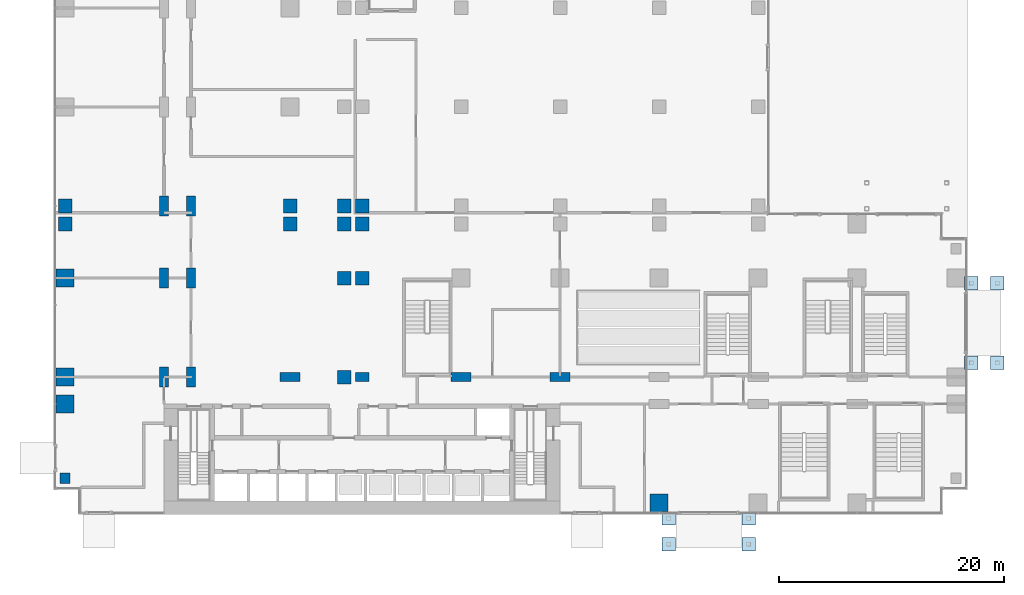
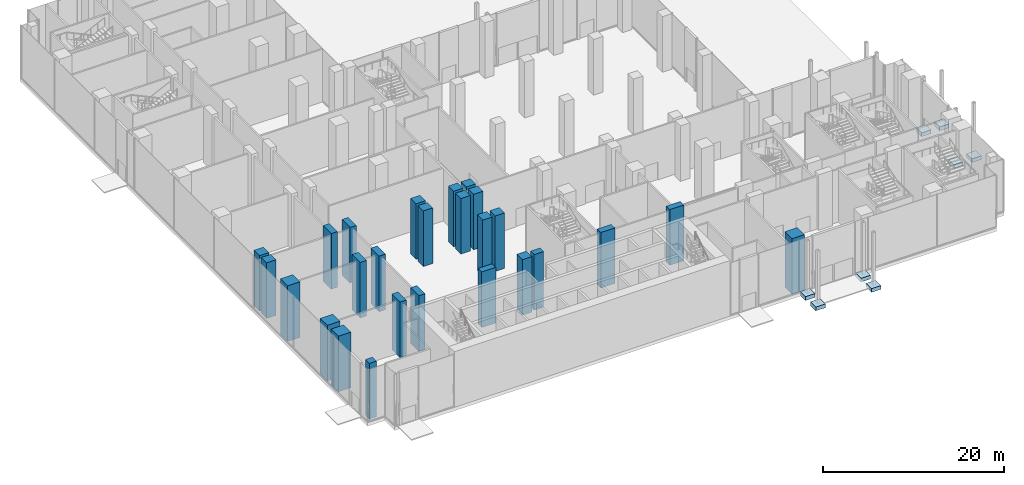
# One storey, part 1 of 41: 26 columns, 8 footings.
"""IFC4 building model written with IfcOpenShell, lengths in metres."""

from ifc_helpers import new_model, si_unit, direction, frame, origin, origin_2d, place, context, subcontext, project, spatial, polyline, rectangle, outline, extrude, material, material_profile, profile_set, type_object, element, save


model = new_model("IFC4")

# Units and contexts
model_context = context("Model", 3, precision=1e-05, world=origin(), true_north=direction((0.0, 1.0)))
body_context = subcontext(model_context, "Body", "Model", "MODEL_VIEW")
ifc_project = project(units=[si_unit("LENGTHUNIT", "METRE"), si_unit("AREAUNIT", "SQUARE_METRE"), si_unit("VOLUMEUNIT", "CUBIC_METRE"), si_unit("PLANEANGLEUNIT", "RADIAN"), si_unit("MASSUNIT", "GRAM", prefix="KILO")], contexts=[model_context])

# Site, building, storey
site_placement = place(None, origin())
site = spatial("IfcSite", under=ifc_project, at=site_placement, CompositionType="ELEMENT")
building_placement = place(site_placement, origin())
building = spatial("IfcBuilding", under=site, at=building_placement, Name="Kemantara Hotel Tower", CompositionType="ELEMENT")
storey_placement = place(building_placement, origin())
storey = spatial("IfcBuildingStorey", under=building, at=storey_placement, Name="L00", CompositionType="ELEMENT", Elevation=0.0)

# Footings
ifc_material_1 = material(Name="Concrete K-500 (fc 42 MPa)", Category="concrete")
footing_type = type_object("IfcFootingType", Name="CANOPY POST PAD FOOTING 1200", PredefinedType="PAD_FOOTING", material=ifc_material_1)
footing_1_placement = place(storey_placement, frame((0.0, 0.0, -0.5)))
element("IfcFooting", 1, at=footing_1_placement, inside=storey, type_object=footing_type, Name="CANOPY POST FOOTING STATION-E-1", PredefinedType="PAD_FOOTING", context=body_context, shape_type="SweptSolid", body=[
    extrude(outline(polyline([(82.14990234375, 12.85009765625), (82.14990234375, 14.050048828125), (80.949951171875, 14.050048828125), (80.949951171875, 12.85009765625), (82.14990234375, 12.85009765625)])), origin(), (0.0, 0.0, 1.0), 0.5),
])
footing_2_placement = place(storey_placement, frame((0.0, 0.0, -0.5)))
element("IfcFooting", 2, at=footing_2_placement, inside=storey, type_object=footing_type, Name="CANOPY POST FOOTING STATION-E-2", PredefinedType="PAD_FOOTING", context=body_context, shape_type="SweptSolid", body=[
    extrude(outline(polyline([(82.14990234375, 19.949951171875), (82.14990234375, 21.14990234375), (80.949951171875, 21.14990234375), (80.949951171875, 19.949951171875), (82.14990234375, 19.949951171875)])), origin(), (0.0, 0.0, 1.0), 0.5),
])
footing_3_placement = place(storey_placement, frame((0.0, 0.0, -0.5)))
element("IfcFooting", 3, at=footing_3_placement, inside=storey, type_object=footing_type, Name="CANOPY POST FOOTING STATION-E-3", PredefinedType="PAD_FOOTING", context=body_context, shape_type="SweptSolid", body=[
    extrude(outline(polyline([(84.449951171875, 19.949951171875), (84.449951171875, 21.14990234375), (83.25, 21.14990234375), (83.25, 19.949951171875), (84.449951171875, 19.949951171875)])), origin(), (0.0, 0.0, 1.0), 0.5),
])
footing_4_placement = place(storey_placement, frame((0.0, 0.0, -0.5)))
element("IfcFooting", 4, at=footing_4_placement, inside=storey, type_object=footing_type, Name="CANOPY POST FOOTING STATION-E-4", PredefinedType="PAD_FOOTING", context=body_context, shape_type="SweptSolid", body=[
    extrude(outline(polyline([(84.449951171875, 12.85009765625), (84.449951171875, 14.050048828125), (83.25, 14.050048828125), (83.25, 12.85009765625), (84.449951171875, 12.85009765625)])), origin(), (0.0, 0.0, 1.0), 0.5),
])
footing_5_placement = place(storey_placement, frame((0.0, 0.0, -0.5)))
element("IfcFooting", 5, at=footing_5_placement, inside=storey, type_object=footing_type, Name="CANOPY POST FOOTING STATION-S-1", PredefinedType="PAD_FOOTING", context=body_context, shape_type="SweptSolid", body=[
    extrude(outline(polyline([(55.25, -0.949951171875), (55.25, 0.25), (54.050048828125, 0.25), (54.050048828125, -0.949951171875), (55.25, -0.949951171875)])), origin(), (0.0, 0.0, 1.0), 0.5),
])
footing_6_placement = place(storey_placement, frame((0.0, 0.0, -0.5)))
element("IfcFooting", 6, at=footing_6_placement, inside=storey, type_object=footing_type, Name="CANOPY POST FOOTING STATION-S-2", PredefinedType="PAD_FOOTING", context=body_context, shape_type="SweptSolid", body=[
    extrude(outline(polyline([(62.35009765625, -0.949951171875), (62.35009765625, 0.25), (61.14990234375, 0.25), (61.14990234375, -0.949951171875), (62.35009765625, -0.949951171875)])), origin(), (0.0, 0.0, 1.0), 0.5),
])
footing_7_placement = place(storey_placement, frame((0.0, 0.0, -0.5)))
element("IfcFooting", 7, at=footing_7_placement, inside=storey, type_object=footing_type, Name="CANOPY POST FOOTING STATION-S-3", PredefinedType="PAD_FOOTING", context=body_context, shape_type="SweptSolid", body=[
    extrude(outline(polyline([(62.35009765625, -3.25), (62.35009765625, -2.050048828125), (61.14990234375, -2.050048828125), (61.14990234375, -3.25), (62.35009765625, -3.25)])), origin(), (0.0, 0.0, 1.0), 0.5),
])
footing_8_placement = place(storey_placement, frame((0.0, 0.0, -0.5)))
element("IfcFooting", 8, at=footing_8_placement, inside=storey, type_object=footing_type, Name="CANOPY POST FOOTING STATION-S-4", PredefinedType="PAD_FOOTING", context=body_context, shape_type="SweptSolid", body=[
    extrude(outline(polyline([(55.25, -3.25), (55.25, -2.050048828125), (54.050048828125, -2.050048828125), (54.050048828125, -3.25), (55.25, -3.25)])), origin(), (0.0, 0.0, 1.0), 0.5),
])

# Columns
ifc_material_2 = material(Name="Concrete fc 70 MPa", Category="concrete")
ifc_material_profile_1 = material_profile(ifc_material_2, rectangle(XDim=1.199951171875, YDim=1.199951171875, at=origin_2d()), Name="RC 1200X1200")
ifc_profile_set_1 = profile_set([ifc_material_profile_1], Name="Concrete fc 70 MPa")
column_type_1 = type_object("IfcColumnType", Name="RC COLUMN 1200X1200 FC70", PredefinedType="COLUMN", material=ifc_profile_set_1)
for number, where, z_axis, x_axis, name in (
    (9, (1.0, 25.800048828125, 0.0), (0.0, 0.0, 1.0), (1.0, 0.0, 0.0), "COLUMN 1/CA L00"),
    (10, (1.0, 27.39990234375, 0.0), (0.0, 0.0, 1.0), (1.0, 0.0, 0.0), "COLUMN 1/D L00"),
    (11, (21.0, 25.800048828125, 0.0), (0.0, 0.0, 1.0), (1.0, 0.0, 0.0), "COLUMN 3/CA L00"),
    (12, (21.0, 27.39990234375, 0.0), (0.0, 0.0, 1.0), (1.0, 0.0, 0.0), "COLUMN 3/D L00"),
    (13, (25.800048828125, 12.199951171875, 0.0), (0.0, 0.0, 1.0), (1.0, 0.0, 0.0), "COLUMN 3A/BA L00"),
    (14, (25.800048828125, 21.0, 0.0), (0.0, 0.0, 1.0), (1.0, 0.0, 0.0), "COLUMN 3A/C L00"),
    (15, (25.800048828125, 25.800048828125, 0.0), (0.0, 0.0, 1.0), (1.0, 0.0, 0.0), "COLUMN 3A/CA L00"),
    (16, (25.800048828125, 27.39990234375, 0.0), (0.0, 0.0, 1.0), (1.0, 0.0, 0.0), "COLUMN 3A/D L00"),
    (17, (27.39990234375, 21.0, 0.0), (0.0, 0.0, 1.0), (1.0, 0.0, 0.0), "COLUMN 4/C L00"),
    (18, (27.39990234375, 25.800048828125, 0.0), (0.0, 0.0, 1.0), (1.0, 0.0, 0.0), "COLUMN 4/CA L00"),
    (19, (27.39990234375, 27.39990234375, 0.0), (0.0, 0.0, 1.0), (1.0, 0.0, 0.0), "COLUMN 4/D L00"),
):
    element("IfcColumn", number, at=place(storey_placement, frame(where, z_axis=z_axis, x_axis=x_axis)), inside=storey, type_object=column_type_1, Name=name, PredefinedType="COLUMN", context=body_context, shape_type="SweptSolid", body=[
        extrude(rectangle(XDim=1.199951171875, YDim=1.199951171875, at=origin_2d()), origin(), (0.0, 0.0, 1.0), 7.5),
    ])
ifc_material_profile_2 = material_profile(ifc_material_2, rectangle(XDim=1.199951171875, YDim=0.800048828125, at=origin_2d()), Name="RC 1200X800")
ifc_profile_set_2 = profile_set([ifc_material_profile_2], Name="Concrete fc 70 MPa")
column_type_2 = type_object("IfcColumnType", Name="RC COLUMN 1200X800 FC70", PredefinedType="COLUMN", material=ifc_profile_set_2)
column_1_placement = place(storey_placement, frame((27.39990234375, 12.199951171875, 0.0), z_axis=(0.0, 0.0, 1.0), x_axis=(1.0, 0.0, 0.0)))
element("IfcColumn", 20, at=column_1_placement, inside=storey, type_object=column_type_2, Name="COLUMN 4/BA L00", PredefinedType="COLUMN", context=body_context, shape_type="SweptSolid", body=[
    extrude(rectangle(XDim=1.199951171875, YDim=0.800048828125, at=origin_2d()), origin(), (0.0, 0.0, 1.0), 7.5),
])
ifc_material_profile_3 = material_profile(ifc_material_2, rectangle(XDim=1.60009765625, YDim=1.60009765625, at=origin_2d()), Name="RC 1600X1600")
ifc_profile_set_3 = profile_set([ifc_material_profile_3], Name="Concrete fc 70 MPa")
column_type_3 = type_object("IfcColumnType", Name="RC COLUMN 1600X1600 FC70", PredefinedType="COLUMN", material=ifc_profile_set_3)
for number, where, z_axis, x_axis, name in (
    (21, (1.0, 9.800048828125, 0.0), (0.0, 0.0, 1.0), (1.0, 0.0, 0.0), "COLUMN 1/B L00"),
    (22, (1.0, 12.199951171875, 0.0), (0.0, 0.0, 1.0), (1.0, 0.0, 0.0), "COLUMN 1/BA L00"),
    (23, (1.0, 21.0, 0.0), (0.0, 0.0, 1.0), (1.0, 0.0, 0.0), "COLUMN 1/C L00"),
    (24, (53.800048828125, 1.0, 0.0), (0.0, 0.0, 1.0), (1.0, 0.0, 0.0), "COLUMN 7/A L00"),
):
    element("IfcColumn", number, at=place(storey_placement, frame(where, z_axis=z_axis, x_axis=x_axis)), inside=storey, type_object=column_type_3, Name=name, PredefinedType="COLUMN", context=body_context, shape_type="SweptSolid", body=[
        extrude(rectangle(XDim=1.60009765625, YDim=1.60009765625, at=origin_2d()), origin(), (0.0, 0.0, 1.0), 7.5),
    ])
ifc_material_profile_4 = material_profile(ifc_material_2, rectangle(XDim=1.800048828125, YDim=0.800048828125, at=origin_2d()), Name="RC 1800X800")
ifc_profile_set_4 = profile_set([ifc_material_profile_4], Name="Concrete fc 70 MPa")
column_type_4 = type_object("IfcColumnType", Name="RC COLUMN 1800X800 FC70", PredefinedType="COLUMN", material=ifc_profile_set_4)
for number, where, z_axis, x_axis, name in (
    (25, (9.800048828125, 12.199951171875, 0.0), (0.0, 0.0, 1.0), (0.0, 1.0, 0.0), "COLUMN 2/BA L00"),
    (26, (9.800048828125, 21.0, 0.0), (0.0, 0.0, 1.0), (0.0, 1.0, 0.0), "COLUMN 2/C L00"),
    (27, (9.800048828125, 27.39990234375, 0.0), (0.0, 0.0, 1.0), (0.0, 1.0, 0.0), "COLUMN 2/D L00"),
    (28, (12.199951171875, 12.199951171875, 0.0), (0.0, 0.0, 1.0), (0.0, 1.0, 0.0), "COLUMN 2A/BA L00"),
    (29, (12.199951171875, 21.0, 0.0), (0.0, 0.0, 1.0), (0.0, 1.0, 0.0), "COLUMN 2A/C L00"),
    (30, (12.199951171875, 27.39990234375, 0.0), (0.0, 0.0, 1.0), (0.0, 1.0, 0.0), "COLUMN 2A/D L00"),
    (31, (21.0, 12.199951171875, 0.0), (0.0, 0.0, 1.0), (1.0, 0.0, 0.0), "COLUMN 3/BA L00"),
    (32, (36.199951171875, 12.199951171875, 0.0), (0.0, 0.0, 1.0), (1.0, 0.0, 0.0), "COLUMN 5/BA L00"),
    (33, (45.0, 12.199951171875, 0.0), (0.0, 0.0, 1.0), (1.0, 0.0, 0.0), "COLUMN 6/BA L00"),
):
    element("IfcColumn", number, at=place(storey_placement, frame(where, z_axis=z_axis, x_axis=x_axis)), inside=storey, type_object=column_type_4, Name=name, PredefinedType="COLUMN", context=body_context, shape_type="SweptSolid", body=[
        extrude(rectangle(XDim=1.800048828125, YDim=0.800048828125, at=origin_2d()), origin(), (0.0, 0.0, 1.0), 7.5),
    ])
ifc_material_profile_5 = material_profile(ifc_material_2, rectangle(XDim=0.89990234375, YDim=0.89990234375, at=origin_2d()), Name="RC 900X900")
ifc_profile_set_5 = profile_set([ifc_material_profile_5], Name="Concrete fc 70 MPa")
column_type_5 = type_object("IfcColumnType", Name="RC COLUMN 900X900 FC70", PredefinedType="COLUMN", material=ifc_profile_set_5)
column_2_placement = place(storey_placement, frame((1.0, 3.199951171875, 0.0), z_axis=(0.0, 0.0, 1.0), x_axis=(1.0, 0.0, 0.0)))
element("IfcColumn", 34, at=column_2_placement, inside=storey, type_object=column_type_5, Name="COLUMN notch corner L00", PredefinedType="COLUMN", context=body_context, shape_type="SweptSolid", body=[
    extrude(rectangle(XDim=0.89990234375, YDim=0.89990234375, at=origin_2d()), origin(), (0.0, 0.0, 1.0), 7.5),
])

save(model, "model.ifc")
